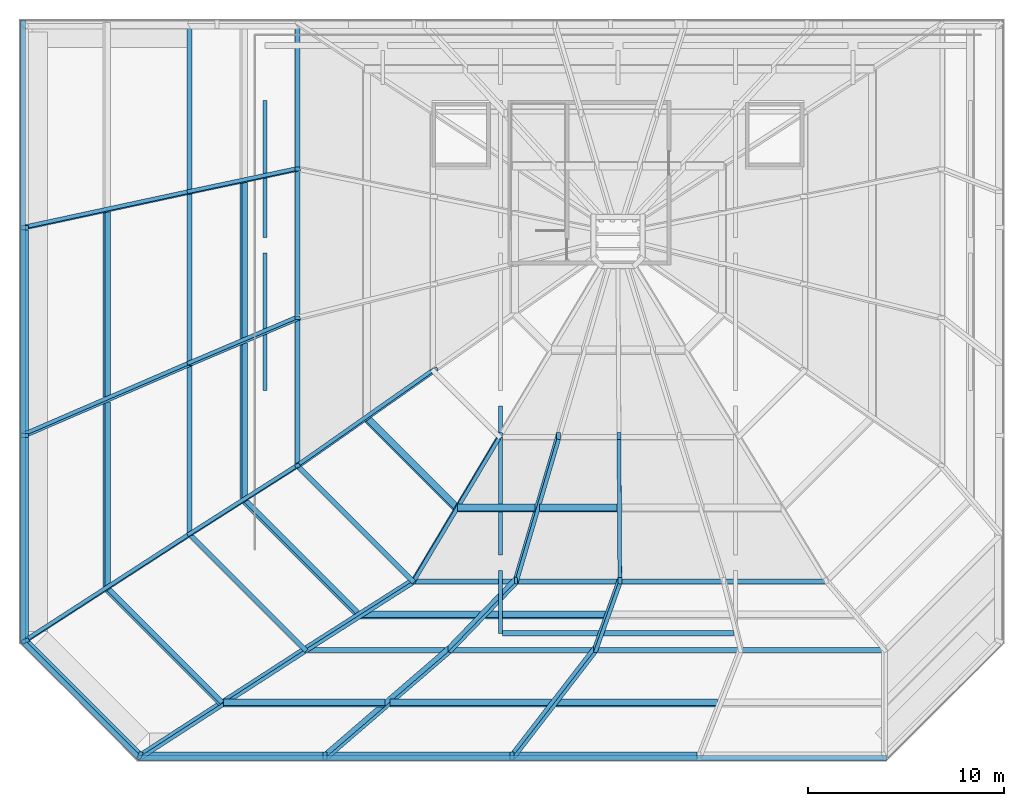
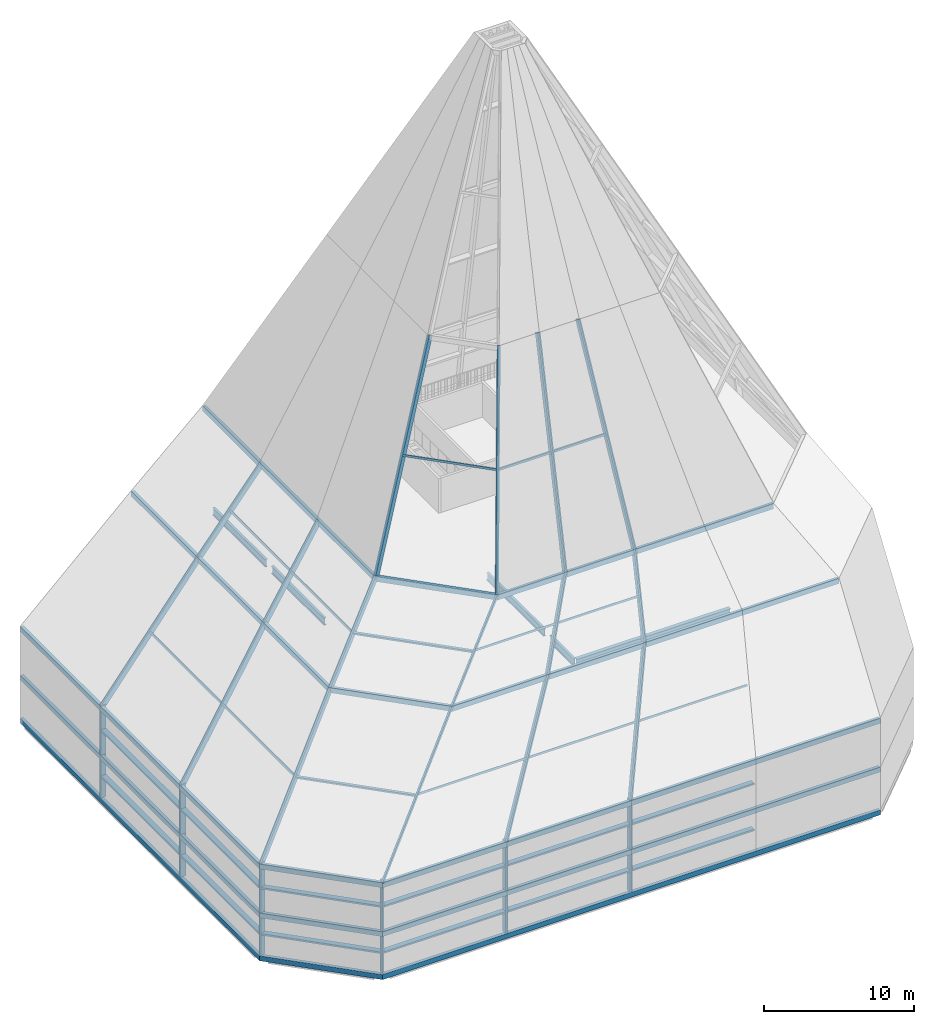
# One storey, part 1 of 7: 69 members, 5 beams.
"""IFC4 building model written with IfcOpenShell, lengths in metres."""

from ifc_helpers import new_model, si_unit, direction, frame, origin, origin_2d, place, context, subcontext, project, spatial, rectangle, i_section, extrude, material, material_profile, profile_set, type_object, element, save


model = new_model("IFC4")

# Units and contexts
model_context = context("Model", 3, precision=1e-05, world=origin(), true_north=direction((0.0, 1.0)))
body_context = subcontext(model_context, "Body", "Model", "MODEL_VIEW")
ifc_project = project(units=[si_unit("LENGTHUNIT", "METRE"), si_unit("AREAUNIT", "SQUARE_METRE"), si_unit("VOLUMEUNIT", "CUBIC_METRE"), si_unit("PLANEANGLEUNIT", "RADIAN"), si_unit("MASSUNIT", "GRAM", prefix="KILO")], contexts=[model_context])

# Site, building, storey
site_placement = place(None, origin())
site = spatial("IfcSite", under=ifc_project, at=site_placement, CompositionType="ELEMENT")
building_placement = place(site_placement, origin())
building = spatial("IfcBuilding", under=site, at=building_placement, Name="Sorahane Residences", CompositionType="ELEMENT")
storey_placement = place(building_placement, frame((0.0, 0.0, 357.800048828125)))
storey = spatial("IfcBuildingStorey", under=building, at=storey_placement, Name="RF", CompositionType="ELEMENT", Elevation=357.800048828125)

# Members
ifc_material_1 = material(Name="Steel Q355B", Category="steel")
ifc_material_profile_1 = material_profile(ifc_material_1, rectangle(XDim=0.199951171875, YDim=0.39990234375, at=origin_2d()), Name="CROWN FRAME hip rib Steel Q355B 200x400")
ifc_profile_set_1 = profile_set([ifc_material_profile_1], Name="Steel Q355B")
member_type_1 = type_object("IfcMemberType", Name="CROWN FRAME hip rib Steel Q355B 200x400", PredefinedType="RAFTER", material=ifc_profile_set_1)
for number, where, z_axis, x_axis, name in (
    (1, (-6.2470703125, 17.604736328125, -15.47998046875), (0.0, 0.0, 1.0), (-0.382683432365, 0.923879532511, 0.0), "CROWN FRAME hip rib 1.1"),
    (2, (-0.395263671875, 11.7529296875, -15.47998046875), (0.0, 0.0, 1.0), (-0.923879532511, 0.382683432365, 0.0), "CROWN FRAME hip rib 1.2"),
    (3, (9.050048828125, 11.72998046875, -15.47998046875), (0.0, 0.0, 1.0), (-1.0, 0.0, 0.0), "CROWN FRAME hip rib 1.3"),
    (4, (18.60009765625, 11.72998046875, -15.47998046875), (0.0, 0.0, 1.0), (-1.0, 0.0, 0.0), "CROWN FRAME hip rib 1.4"),
    (5, (-6.27001953125, 38.699951171875, -15.47998046875), (0.0, 0.0, 1.0), (0.0, 1.0, 0.0), "CROWN FRAME hip rib 1.16"),
    (6, (-6.27001953125, 28.10009765625, -15.47998046875), (0.0, 0.0, 1.0), (0.0, 1.0, 0.0), "CROWN FRAME hip rib 1.17"),
):
    element("IfcMember", number, at=place(storey_placement, frame(where, z_axis=z_axis, x_axis=x_axis)), inside=storey, type_object=member_type_1, Name=name, PredefinedType="RAFTER", context=body_context, shape_type="SweptSolid", body=[
        extrude(rectangle(XDim=0.199951171875, YDim=0.39990234375, at=origin_2d()), origin(), (0.0, 0.0, 1.0), 3.47998046875),
    ])
for number, where, z_axis, x_axis, name in (
    (7, (-6.2470703125, 17.604736328125, -12.0), (0.0, 0.0, 1.0), (-0.382683432365, 0.923879532511, 0.0), "CROWN FRAME hip rib 2.1"),
    (8, (-0.395263671875, 11.7529296875, -12.0), (0.0, 0.0, 1.0), (-0.923879532511, 0.382683432365, 0.0), "CROWN FRAME hip rib 2.2"),
    (9, (9.050048828125, 11.72998046875, -12.0), (0.0, 0.0, 1.0), (-1.0, 0.0, 0.0), "CROWN FRAME hip rib 2.3"),
    (10, (18.60009765625, 11.72998046875, -12.0), (0.0, 0.0, 1.0), (-1.0, 0.0, 0.0), "CROWN FRAME hip rib 2.4"),
    (11, (-6.27001953125, 38.699951171875, -12.0), (0.0, 0.0, 1.0), (0.0, 1.0, 0.0), "CROWN FRAME hip rib 2.16"),
    (12, (-6.27001953125, 28.10009765625, -12.0), (0.0, 0.0, 1.0), (0.0, 1.0, 0.0), "CROWN FRAME hip rib 2.17"),
):
    element("IfcMember", number, at=place(storey_placement, frame(where, z_axis=z_axis, x_axis=x_axis)), inside=storey, type_object=member_type_1, Name=name, PredefinedType="RAFTER", context=body_context, shape_type="SweptSolid", body=[
        extrude(rectangle(XDim=0.199951171875, YDim=0.39990234375, at=origin_2d()), origin(), (0.0, 0.0, 1.0), 4.0),
    ])
for number, where, z_axis, x_axis, name in (
    (13, (-6.349609375, 17.55908203125, -8.200439453125), (0.658736619548, 0.426241342061, 0.619987406634), (-0.474282489764, 0.874945900304, -0.097600161084), "CROWN FRAME hip rib 3.1"),
    (14, (-0.438232421875, 11.67626953125, -8.18701171875), (0.658736619548, 0.426241342061, 0.619987406634), (-0.715126162068, 0.61078444687, 0.339907239975), "CROWN FRAME hip rib 3.2"),
):
    element("IfcMember", number, at=place(storey_placement, frame(where, z_axis=z_axis, x_axis=x_axis)), inside=storey, type_object=member_type_1, Name=name, PredefinedType="RAFTER", context=body_context, shape_type="SweptSolid", body=[
        extrude(rectangle(XDim=0.199951171875, YDim=0.39990234375, at=origin_2d()), origin(), (0.0, 0.0, 1.0), 12.903564453125),
    ])
member_1_placement = place(storey_placement, frame((9.050048828125, 11.689453125, -8.13037109375), z_axis=(0.548895039082, 0.473556504306, 0.688809460809), x_axis=(-0.835891282447, 0.310965058804, 0.452312387772)))
element("IfcMember", 15, at=member_1_placement, inside=storey, type_object=member_type_1, Name="CROWN FRAME hip rib 3.3", PredefinedType="RAFTER", context=body_context, shape_type="SweptSolid", body=[
    extrude(rectangle(XDim=0.199951171875, YDim=0.39990234375, at=origin_2d()), origin(), (0.0, 0.0, 1.0), 11.6142578125),
])
member_2_placement = place(storey_placement, frame((18.60009765625, 11.689453125, -8.13037109375), z_axis=(0.401028172178, 0.518977634583, 0.754876559394), x_axis=(-0.916065720961, 0.227193990435, 0.330464045836)))
element("IfcMember", 16, at=member_2_placement, inside=storey, type_object=member_type_1, Name="CROWN FRAME hip rib 3.4", PredefinedType="RAFTER", context=body_context, shape_type="SweptSolid", body=[
    extrude(rectangle(XDim=0.199951171875, YDim=0.39990234375, at=origin_2d()), origin(), (0.0, 0.0, 1.0), 10.59765625),
])
member_3_placement = place(storey_placement, frame((-6.34228515625, 38.699951171875, -8.16748046875), z_axis=(0.719381720301, 0.155153875739, 0.677065148519), x_axis=(-0.112978503472, 0.987890315167, -0.10634182128)))
element("IfcMember", 17, at=member_3_placement, inside=storey, type_object=member_type_1, Name="CROWN FRAME hip rib 3.16", PredefinedType="RAFTER", context=body_context, shape_type="SweptSolid", body=[
    extrude(rectangle(XDim=0.199951171875, YDim=0.39990234375, at=origin_2d()), origin(), (0.0, 0.0, 1.0), 11.815673828125),
])
member_4_placement = place(storey_placement, frame((-6.34228515625, 28.10009765625, -8.16748046875), z_axis=(0.694732819568, 0.299675364323, 0.653866183123), x_axis=(-0.218216034843, 0.954041233861, -0.205394951813)))
element("IfcMember", 18, at=member_4_placement, inside=storey, type_object=member_type_1, Name="CROWN FRAME hip rib 3.17", PredefinedType="RAFTER", context=body_context, shape_type="SweptSolid", body=[
    extrude(rectangle(XDim=0.199951171875, YDim=0.39990234375, at=origin_2d()), origin(), (0.0, 0.0, 1.0), 12.23486328125),
])
for number, where, z_axis, x_axis, name in (
    (19, (2.147216796875, 23.057861328125, -0.202392578125), (0.669438681395, 0.426006433615, 0.60858061945), (-0.472964169951, 0.876154679053, -0.093047688391), "CROWN FRAME hip rib 4.1"),
    (20, (8.060546875, 17.17431640625, -0.18896484375), (0.669438681395, 0.426006433615, 0.60858061945), (-0.706469685547, 0.618377676428, 0.344252280602), "CROWN FRAME hip rib 4.2"),
):
    element("IfcMember", number, at=place(storey_placement, frame(where, z_axis=z_axis, x_axis=x_axis)), inside=storey, type_object=member_type_1, Name=name, PredefinedType="RAFTER", context=body_context, shape_type="SweptSolid", body=[
        extrude(rectangle(XDim=0.199951171875, YDim=0.39990234375, at=origin_2d()), origin(), (0.0, 0.0, 1.0), 8.2158203125),
    ])
member_5_placement = place(storey_placement, frame((15.425048828125, 17.1884765625, -0.1318359375), z_axis=(0.483920704572, 0.50184369363, 0.716919562329), x_axis=(-0.875111850958, 0.277510274421, 0.396443307301)))
element("IfcMember", 21, at=member_5_placement, inside=storey, type_object=member_type_1, Name="CROWN FRAME hip rib 4.3", PredefinedType="RAFTER", context=body_context, shape_type="SweptSolid", body=[
    extrude(rectangle(XDim=0.199951171875, YDim=0.39990234375, at=origin_2d()), origin(), (0.0, 0.0, 1.0), 6.974365234375),
])
member_6_placement = place(storey_placement, frame((22.85009765625, 17.1884765625, -0.1318359375), z_axis=(0.200643088476, 0.561800647734, 0.802572353905), x_axis=(-0.979664407359, 0.115061955773, 0.164372732799)))
element("IfcMember", 22, at=member_6_placement, inside=storey, type_object=member_type_1, Name="CROWN FRAME hip rib 4.4", PredefinedType="RAFTER", context=body_context, shape_type="SweptSolid", body=[
    extrude(rectangle(XDim=0.199951171875, YDim=0.39990234375, at=origin_2d()), origin(), (0.0, 0.0, 1.0), 6.22998046875),
])
member_7_placement = place(storey_placement, frame((2.15478515625, 40.533203125, -0.170166015625), z_axis=(0.730989471214, 0.155069188696, 0.664535882922), x_axis=(-0.11474805222, 0.987903612017, -0.104304064523)))
element("IfcMember", 23, at=member_7_placement, inside=storey, type_object=member_type_1, Name="CROWN FRAME hip rib 4.16", PredefinedType="RAFTER", context=body_context, shape_type="SweptSolid", body=[
    extrude(rectangle(XDim=0.199951171875, YDim=0.39990234375, at=origin_2d()), origin(), (0.0, 0.0, 1.0), 7.524169921875),
])
member_8_placement = place(storey_placement, frame((2.15478515625, 31.7666015625, -0.170166015625), z_axis=(0.705968789743, 0.299522802396, 0.641789808858), x_axis=(-0.221639269003, 0.954089141868, -0.201469461225)))
element("IfcMember", 24, at=member_8_placement, inside=storey, type_object=member_type_1, Name="CROWN FRAME hip rib 4.17", PredefinedType="RAFTER", context=body_context, shape_type="SweptSolid", body=[
    extrude(rectangle(XDim=0.199951171875, YDim=0.39990234375, at=origin_2d()), origin(), (0.0, 0.0, 1.0), 7.790771484375),
])
member_9_placement = place(storey_placement, frame((7.71484375, 26.5869140625, 4.865478515625), z_axis=(0.41857801809, 0.293836420309, 0.859332648554), x_axis=(-0.426004257315, 0.899182364873, -0.099957228111)))
element("IfcMember", 25, at=member_9_placement, inside=storey, type_object=member_type_1, Name="CROWN FRAME hip rib 5.1", PredefinedType="RAFTER", context=body_context, shape_type="SweptSolid", body=[
    extrude(rectangle(XDim=0.199951171875, YDim=0.39990234375, at=origin_2d()), origin(), (0.0, 0.0, 1.0), 16.5244140625),
])
member_10_placement = place(storey_placement, frame((13.586669921875, 20.712646484375, 4.862548828125), z_axis=(0.264984868447, 0.444417185119, 0.85573149122), x_axis=(-0.908258566685, 0.41305311135, 0.066734573104)))
element("IfcMember", 26, at=member_10_placement, inside=storey, type_object=member_type_1, Name="CROWN FRAME hip rib 5.2", PredefinedType="RAFTER", context=body_context, shape_type="SweptSolid", body=[
    extrude(rectangle(XDim=0.199951171875, YDim=0.39990234375, at=origin_2d()), origin(), (0.0, 0.0, 1.0), 16.59423828125),
])
member_11_placement = place(storey_placement, frame((18.800048828125, 20.7041015625, 4.89404296875), z_axis=(0.134739529258, 0.456696247788, 0.879359878839), x_axis=(-0.990881052021, 0.062100892051, 0.119575164442)))
element("IfcMember", 27, at=member_11_placement, inside=storey, type_object=member_type_1, Name="CROWN FRAME hip rib 5.3", PredefinedType="RAFTER", context=body_context, shape_type="SweptSolid", body=[
    extrude(rectangle(XDim=0.199951171875, YDim=0.39990234375, at=origin_2d()), origin(), (0.0, 0.0, 1.0), 16.14794921875),
])
member_12_placement = place(storey_placement, frame((24.10009765625, 20.7041015625, 4.89404296875), z_axis=(-0.002868496912, 0.460897267075, 0.887448861022), x_axis=(-0.999995885789, -0.001332231344, -0.002540386746)))
element("IfcMember", 28, at=member_12_placement, inside=storey, type_object=member_type_1, Name="CROWN FRAME hip rib 5.4", PredefinedType="RAFTER", context=body_context, shape_type="SweptSolid", body=[
    extrude(rectangle(XDim=0.199951171875, YDim=0.39990234375, at=origin_2d()), origin(), (0.0, 0.0, 1.0), 16.0009765625),
])
ifc_material_2 = material(Name="Steel Q355B", Category="steel")
ifc_material_profile_2 = material_profile(ifc_material_2, rectangle(XDim=0.139892578125, YDim=0.39990234375, at=origin_2d()), Name="CROWN FRAME purlin Steel Q355B 140x400")
ifc_profile_set_2 = profile_set([ifc_material_profile_2], Name="Steel Q355B")
member_type_2 = type_object("IfcMemberType", Name="CROWN FRAME purlin Steel Q355B 140x400", PredefinedType="PURLIN", material=ifc_profile_set_2)
member_13_placement = place(storey_placement, frame((-6.25244140625, 17.577880859375, -13.739990234375), z_axis=(0.707106781187, -0.707106781187, 0.0), x_axis=(0.0, 0.0, 1.0)))
element("IfcMember", 29, at=member_13_placement, inside=storey, type_object=member_type_2, Name="CROWN FRAME purlin 1.1", PredefinedType="PURLIN", context=body_context, shape_type="SweptSolid", body=[
    extrude(rectangle(XDim=0.139892578125, YDim=0.39990234375, at=origin_2d()), origin(), (0.0, 0.0, 1.0), 8.245361328125),
])
member_14_placement = place(storey_placement, frame((-0.3798828125, 11.72998046875, -13.739990234375), z_axis=(1.0, 0.0, 0.0), x_axis=(0.0, 0.0, 1.0)))
element("IfcMember", 30, at=member_14_placement, inside=storey, type_object=member_type_2, Name="CROWN FRAME purlin 1.2", PredefinedType="PURLIN", context=body_context, shape_type="SweptSolid", body=[
    extrude(rectangle(XDim=0.139892578125, YDim=0.39990234375, at=origin_2d()), origin(), (0.0, 0.0, 1.0), 9.324951171875),
])
member_15_placement = place(storey_placement, frame((9.155029296875, 11.72998046875, -13.739990234375), z_axis=(1.0, 0.0, 0.0), x_axis=(0.0, 0.0, 1.0)))
element("IfcMember", 31, at=member_15_placement, inside=storey, type_object=member_type_2, Name="CROWN FRAME purlin 1.3", PredefinedType="PURLIN", context=body_context, shape_type="SweptSolid", body=[
    extrude(rectangle(XDim=0.139892578125, YDim=0.39990234375, at=origin_2d()), origin(), (0.0, 0.0, 1.0), 9.340087890625),
])
member_16_placement = place(storey_placement, frame((18.705078125, 11.72998046875, -13.739990234375), z_axis=(1.0, 0.0, 0.0), x_axis=(0.0, 0.0, 1.0)))
element("IfcMember", 32, at=member_16_placement, inside=storey, type_object=member_type_2, Name="CROWN FRAME purlin 1.4", PredefinedType="PURLIN", context=body_context, shape_type="SweptSolid", body=[
    extrude(rectangle(XDim=0.139892578125, YDim=0.39990234375, at=origin_2d()), origin(), (0.0, 0.0, 1.0), 9.33984375),
])
member_17_placement = place(storey_placement, frame((-6.27001953125, 28.205078125, -13.739990234375), z_axis=(0.0, 1.0, 0.0), x_axis=(0.0, 0.0, -1.0)))
element("IfcMember", 33, at=member_17_placement, inside=storey, type_object=member_type_2, Name="CROWN FRAME purlin 1.16", PredefinedType="PURLIN", context=body_context, shape_type="SweptSolid", body=[
    extrude(rectangle(XDim=0.139892578125, YDim=0.39990234375, at=origin_2d()), origin(), (0.0, 0.0, 1.0), 10.389892578125),
])
member_18_placement = place(storey_placement, frame((-6.27001953125, 17.6201171875, -13.739990234375), z_axis=(0.0, 1.0, 0.0), x_axis=(0.0, 0.0, -1.0)))
element("IfcMember", 34, at=member_18_placement, inside=storey, type_object=member_type_2, Name="CROWN FRAME purlin 1.17", PredefinedType="PURLIN", context=body_context, shape_type="SweptSolid", body=[
    extrude(rectangle(XDim=0.139892578125, YDim=0.39990234375, at=origin_2d()), origin(), (0.0, 0.0, 1.0), 10.375),
])
member_19_placement = place(storey_placement, frame((-6.25244140625, 17.577880859375, -10.0), z_axis=(0.707106781187, -0.707106781187, 0.0), x_axis=(0.0, 0.0, 1.0)))
element("IfcMember", 35, at=member_19_placement, inside=storey, type_object=member_type_2, Name="CROWN FRAME purlin 2.1", PredefinedType="PURLIN", context=body_context, shape_type="SweptSolid", body=[
    extrude(rectangle(XDim=0.139892578125, YDim=0.39990234375, at=origin_2d()), origin(), (0.0, 0.0, 1.0), 8.245361328125),
])
member_20_placement = place(storey_placement, frame((-0.3798828125, 11.72998046875, -10.0), z_axis=(1.0, 0.0, 0.0), x_axis=(0.0, 0.0, 1.0)))
element("IfcMember", 36, at=member_20_placement, inside=storey, type_object=member_type_2, Name="CROWN FRAME purlin 2.2", PredefinedType="PURLIN", context=body_context, shape_type="SweptSolid", body=[
    extrude(rectangle(XDim=0.139892578125, YDim=0.39990234375, at=origin_2d()), origin(), (0.0, 0.0, 1.0), 9.324951171875),
])
member_21_placement = place(storey_placement, frame((9.155029296875, 11.72998046875, -10.0), z_axis=(1.0, 0.0, 0.0), x_axis=(0.0, 0.0, 1.0)))
element("IfcMember", 37, at=member_21_placement, inside=storey, type_object=member_type_2, Name="CROWN FRAME purlin 2.3", PredefinedType="PURLIN", context=body_context, shape_type="SweptSolid", body=[
    extrude(rectangle(XDim=0.139892578125, YDim=0.39990234375, at=origin_2d()), origin(), (0.0, 0.0, 1.0), 9.340087890625),
])
member_22_placement = place(storey_placement, frame((18.705078125, 11.72998046875, -10.0), z_axis=(1.0, 0.0, 0.0), x_axis=(0.0, 0.0, 1.0)))
element("IfcMember", 38, at=member_22_placement, inside=storey, type_object=member_type_2, Name="CROWN FRAME purlin 2.4", PredefinedType="PURLIN", context=body_context, shape_type="SweptSolid", body=[
    extrude(rectangle(XDim=0.139892578125, YDim=0.39990234375, at=origin_2d()), origin(), (0.0, 0.0, 1.0), 9.33984375),
])
member_23_placement = place(storey_placement, frame((-6.27001953125, 28.205078125, -10.0), z_axis=(0.0, 1.0, 0.0), x_axis=(0.0, 0.0, -1.0)))
element("IfcMember", 39, at=member_23_placement, inside=storey, type_object=member_type_2, Name="CROWN FRAME purlin 2.16", PredefinedType="PURLIN", context=body_context, shape_type="SweptSolid", body=[
    extrude(rectangle(XDim=0.139892578125, YDim=0.39990234375, at=origin_2d()), origin(), (0.0, 0.0, 1.0), 10.389892578125),
])
member_24_placement = place(storey_placement, frame((-6.27001953125, 17.6201171875, -10.0), z_axis=(0.0, 1.0, 0.0), x_axis=(0.0, 0.0, -1.0)))
element("IfcMember", 40, at=member_24_placement, inside=storey, type_object=member_type_2, Name="CROWN FRAME purlin 2.17", PredefinedType="PURLIN", context=body_context, shape_type="SweptSolid", body=[
    extrude(rectangle(XDim=0.139892578125, YDim=0.39990234375, at=origin_2d()), origin(), (0.0, 0.0, 1.0), 10.375),
])
member_25_placement = place(storey_placement, frame((-2.06298828125, 20.267333984375, -4.178955078125), z_axis=(0.707106781187, -0.707106781187, 0.0), x_axis=(0.549972261047, 0.549972261047, 0.628538800837)))
element("IfcMember", 41, at=member_25_placement, inside=storey, type_object=member_type_2, Name="CROWN FRAME purlin 3.1", PredefinedType="PURLIN", context=body_context, shape_type="SweptSolid", body=[
    extrude(rectangle(XDim=0.139892578125, YDim=0.39990234375, at=origin_2d()), origin(), (0.0, 0.0, 1.0), 8.245361328125),
])
member_26_placement = place(storey_placement, frame((3.8701171875, 14.439453125, -4.13037109375), z_axis=(1.0, 0.0, 0.0), x_axis=(0.0, 0.566528492273, 0.824042151497)))
element("IfcMember", 42, at=member_26_placement, inside=storey, type_object=member_type_2, Name="CROWN FRAME purlin 3.2", PredefinedType="PURLIN", context=body_context, shape_type="SweptSolid", body=[
    extrude(rectangle(XDim=0.139892578125, YDim=0.39990234375, at=origin_2d()), origin(), (0.0, 0.0, 1.0), 8.247314453125),
])
for number, where, z_axis, x_axis, name in (
    (43, (12.357421875, 14.439453125, -4.13037109375), (1.0, 0.0, 0.0), (0.0, 0.566528492273, 0.824042151497), "CROWN FRAME purlin 3.3"),
    (44, (20.844970703125, 14.439453125, -4.13037109375), (1.0, 0.0, 0.0), (0.0, 0.566528492273, 0.824042151497), "CROWN FRAME purlin 3.4"),
):
    element("IfcMember", number, at=place(storey_placement, frame(where, z_axis=z_axis, x_axis=x_axis)), inside=storey, type_object=member_type_2, Name=name, PredefinedType="PURLIN", context=body_context, shape_type="SweptSolid", body=[
        extrude(rectangle(XDim=0.139892578125, YDim=0.39990234375, at=origin_2d()), origin(), (0.0, 0.0, 1.0), 8.24755859375),
    ])
member_27_placement = place(storey_placement, frame((-2.09228515625, 30.05322265625, -4.16748046875), z_axis=(0.0, 1.0, 0.0), x_axis=(-0.728199937801, 0.0, -0.685364757328)))
element("IfcMember", 45, at=member_27_placement, inside=storey, type_object=member_type_2, Name="CROWN FRAME purlin 3.16", PredefinedType="PURLIN", context=body_context, shape_type="SweptSolid", body=[
    extrude(rectangle(XDim=0.139892578125, YDim=0.39990234375, at=origin_2d()), origin(), (0.0, 0.0, 1.0), 9.443359375),
])
member_28_placement = place(storey_placement, frame((-2.09228515625, 20.3701171875, -4.16748046875), z_axis=(0.0, 1.0, 0.0), x_axis=(-0.728199937801, 0.0, -0.685364757328)))
element("IfcMember", 46, at=member_28_placement, inside=storey, type_object=member_type_2, Name="CROWN FRAME purlin 3.17", PredefinedType="PURLIN", context=body_context, shape_type="SweptSolid", body=[
    extrude(rectangle(XDim=0.139892578125, YDim=0.39990234375, at=origin_2d()), origin(), (0.0, 0.0, 1.0), 9.443115234375),
])
member_29_placement = place(storey_placement, frame((4.935302734375, 24.765625, 2.319091796875), z_axis=(0.707106781187, -0.707106781187, 0.0), x_axis=(0.556021906748, 0.556021906748, 0.617801973478)))
element("IfcMember", 47, at=member_29_placement, inside=storey, type_object=member_type_2, Name="CROWN FRAME purlin 4.1", PredefinedType="PURLIN", context=body_context, shape_type="SweptSolid", body=[
    extrude(rectangle(XDim=0.139892578125, YDim=0.39990234375, at=origin_2d()), origin(), (0.0, 0.0, 1.0), 8.245361328125),
])
member_30_placement = place(storey_placement, frame((10.8701171875, 18.9384765625, 2.3681640625), z_axis=(1.0, 0.0, 0.0), x_axis=(0.0, 0.573462055558, 0.819232122682)))
element("IfcMember", 48, at=member_30_placement, inside=storey, type_object=member_type_2, Name="CROWN FRAME purlin 4.2", PredefinedType="PURLIN", context=body_context, shape_type="SweptSolid", body=[
    extrude(rectangle(XDim=0.139892578125, YDim=0.39990234375, at=origin_2d()), origin(), (0.0, 0.0, 1.0), 6.122314453125),
])
member_31_placement = place(storey_placement, frame((17.232421875, 18.9384765625, 2.3681640625), z_axis=(1.0, 0.0, 0.0), x_axis=(0.0, 0.573462055558, 0.819232122682)))
element("IfcMember", 49, at=member_31_placement, inside=storey, type_object=member_type_2, Name="CROWN FRAME purlin 4.3", PredefinedType="PURLIN", context=body_context, shape_type="SweptSolid", body=[
    extrude(rectangle(XDim=0.139892578125, YDim=0.39990234375, at=origin_2d()), origin(), (0.0, 0.0, 1.0), 6.12255859375),
])
member_32_placement = place(storey_placement, frame((4.90478515625, 33.05322265625, 2.329833984375), z_axis=(0.0, 1.0, 0.0), x_axis=(-0.739939944324, 0.0, -0.672672935976)))
element("IfcMember", 50, at=member_32_placement, inside=storey, type_object=member_type_2, Name="CROWN FRAME purlin 4.16", PredefinedType="PURLIN", context=body_context, shape_type="SweptSolid", body=[
    extrude(rectangle(XDim=0.139892578125, YDim=0.39990234375, at=origin_2d()), origin(), (0.0, 0.0, 1.0), 7.943359375),
])
member_33_placement = place(storey_placement, frame((4.90478515625, 24.8701171875, 2.329833984375), z_axis=(0.0, 1.0, 0.0), x_axis=(-0.739939944324, 0.0, -0.672672935976)))
element("IfcMember", 51, at=member_33_placement, inside=storey, type_object=member_type_2, Name="CROWN FRAME purlin 4.17", PredefinedType="PURLIN", context=body_context, shape_type="SweptSolid", body=[
    extrude(rectangle(XDim=0.139892578125, YDim=0.39990234375, at=origin_2d()), origin(), (0.0, 0.0, 1.0), 7.943115234375),
])
member_34_placement = place(storey_placement, frame((11.18359375, 28.983154296875, 11.983642578125), z_axis=(0.707106781187, -0.707106781187, 0.0), x_axis=(0.357599540054, 0.357599540054, 0.862696434388)))
element("IfcMember", 52, at=member_34_placement, inside=storey, type_object=member_type_2, Name="CROWN FRAME purlin 5.1", PredefinedType="PURLIN", context=body_context, shape_type="SweptSolid", body=[
    extrude(rectangle(XDim=0.139892578125, YDim=0.39990234375, at=origin_2d()), origin(), (0.0, 0.0, 1.0), 6.463623046875),
])
for number, where, z_axis, x_axis, name in (
    (53, (15.818603515625, 24.3916015625, 11.993896484375), (1.0, 0.0, 0.0), (0.0, 0.460900029143, 0.887452062444), "CROWN FRAME purlin 5.2"),
    (54, (20.0078125, 24.3916015625, 11.993896484375), (1.0, 0.0, 0.0), (0.0, 0.460900029143, 0.887452062444), "CROWN FRAME purlin 5.3"),
):
    element("IfcMember", number, at=place(storey_placement, frame(where, z_axis=z_axis, x_axis=x_axis)), inside=storey, type_object=member_type_2, Name=name, PredefinedType="PURLIN", context=body_context, shape_type="SweptSolid", body=[
        extrude(rectangle(XDim=0.139892578125, YDim=0.39990234375, at=origin_2d()), origin(), (0.0, 0.0, 1.0), 3.94921875),
    ])
ifc_material_3 = material(Name="Steel Q355B", Category="steel")
ifc_material_profile_3 = material_profile(ifc_material_3, rectangle(XDim=0.25, YDim=0.39990234375, at=origin_2d()), Name="CROWN FRAME ring beam Steel Q355B 250x400")
ifc_profile_set_3 = profile_set([ifc_material_profile_3], Name="Steel Q355B")
member_type_3 = type_object("IfcMemberType", Name="CROWN FRAME ring beam Steel Q355B 250x400", PredefinedType="BRACE", material=ifc_profile_set_3)
member_35_placement = place(storey_placement, frame((-6.3974609375, 17.6025390625, -15.679931640625), z_axis=(0.707106781187, -0.707106781187, 0.0), x_axis=(0.707106781187, 0.707106781187, 0.0)))
element("IfcMember", 55, at=member_35_placement, inside=storey, type_object=member_type_3, Name="CROWN FRAME ring beam 1.1", PredefinedType="BRACE", context=body_context, shape_type="SweptSolid", body=[
    extrude(rectangle(XDim=0.25, YDim=0.39990234375, at=origin_2d()), origin(), (0.0, 0.0, 1.0), 8.4853515625),
])
member_36_placement = place(storey_placement, frame((-0.5, 11.64501953125, -15.679931640625), z_axis=(1.0, 0.0, 0.0), x_axis=(0.0, 1.0, 0.0)))
element("IfcMember", 56, at=member_36_placement, inside=storey, type_object=member_type_3, Name="CROWN FRAME ring beam 1.2", PredefinedType="BRACE", context=body_context, shape_type="SweptSolid", body=[
    extrude(rectangle(XDim=0.25, YDim=0.39990234375, at=origin_2d()), origin(), (0.0, 0.0, 1.0), 38.199951171875),
])
member_37_placement = place(storey_placement, frame((-6.35498046875, 17.5, -15.679931640625), z_axis=(0.0, 1.0, 0.0), x_axis=(-1.0, 0.0, 0.0)))
element("IfcMember", 57, at=member_37_placement, inside=storey, type_object=member_type_3, Name="CROWN FRAME ring beam 1.6", PredefinedType="BRACE", context=body_context, shape_type="SweptSolid", body=[
    extrude(rectangle(XDim=0.25, YDim=0.39990234375, at=origin_2d()), origin(), (0.0, 0.0, 1.0), 31.800048828125),
])
member_38_placement = place(storey_placement, frame((-6.3974609375, 17.6025390625, -12.199951171875), z_axis=(0.707106781187, -0.707106781187, 0.0), x_axis=(0.707106781187, 0.707106781187, 0.0)))
element("IfcMember", 58, at=member_38_placement, inside=storey, type_object=member_type_3, Name="CROWN FRAME ring beam 2.1", PredefinedType="BRACE", context=body_context, shape_type="SweptSolid", body=[
    extrude(rectangle(XDim=0.25, YDim=0.39990234375, at=origin_2d()), origin(), (0.0, 0.0, 1.0), 8.4853515625),
])
member_39_placement = place(storey_placement, frame((-0.5, 11.64501953125, -12.199951171875), z_axis=(1.0, 0.0, 0.0), x_axis=(0.0, 1.0, 0.0)))
element("IfcMember", 59, at=member_39_placement, inside=storey, type_object=member_type_3, Name="CROWN FRAME ring beam 2.2", PredefinedType="BRACE", context=body_context, shape_type="SweptSolid", body=[
    extrude(rectangle(XDim=0.25, YDim=0.39990234375, at=origin_2d()), origin(), (0.0, 0.0, 1.0), 38.199951171875),
])
member_40_placement = place(storey_placement, frame((-6.35498046875, 17.5, -12.199951171875), z_axis=(0.0, 1.0, 0.0), x_axis=(-1.0, 0.0, 0.0)))
element("IfcMember", 60, at=member_40_placement, inside=storey, type_object=member_type_3, Name="CROWN FRAME ring beam 2.6", PredefinedType="BRACE", context=body_context, shape_type="SweptSolid", body=[
    extrude(rectangle(XDim=0.25, YDim=0.39990234375, at=origin_2d()), origin(), (0.0, 0.0, 1.0), 31.800048828125),
])
member_41_placement = place(storey_placement, frame((-6.3974609375, 17.6025390625, -8.23876953125), z_axis=(0.707106781187, -0.707106781187, 0.0), x_axis=(0.707106781187, 0.707106781187, 0.0)))
element("IfcMember", 61, at=member_41_placement, inside=storey, type_object=member_type_3, Name="CROWN FRAME ring beam 3.1", PredefinedType="BRACE", context=body_context, shape_type="SweptSolid", body=[
    extrude(rectangle(XDim=0.25, YDim=0.39990234375, at=origin_2d()), origin(), (0.0, 0.0, 1.0), 8.4853515625),
])
member_42_placement = place(storey_placement, frame((-0.5, 11.64501953125, -8.2529296875), z_axis=(1.0, 0.0, 0.0), x_axis=(0.0, 1.0, 0.0)))
element("IfcMember", 62, at=member_42_placement, inside=storey, type_object=member_type_3, Name="CROWN FRAME ring beam 3.2", PredefinedType="BRACE", context=body_context, shape_type="SweptSolid", body=[
    extrude(rectangle(XDim=0.25, YDim=0.39990234375, at=origin_2d()), origin(), (0.0, 0.0, 1.0), 38.199951171875),
])
member_43_placement = place(storey_placement, frame((-6.35498046875, 17.5, -8.2412109375), z_axis=(0.0, 1.0, 0.0), x_axis=(-1.0, 0.0, 0.0)))
element("IfcMember", 63, at=member_43_placement, inside=storey, type_object=member_type_3, Name="CROWN FRAME ring beam 3.6", PredefinedType="BRACE", context=body_context, shape_type="SweptSolid", body=[
    extrude(rectangle(XDim=0.25, YDim=0.39990234375, at=origin_2d()), origin(), (0.0, 0.0, 1.0), 31.800048828125),
])
member_44_placement = place(storey_placement, frame((2.1025390625, 23.1025390625, -0.23828125), z_axis=(0.707106781187, -0.707106781187, 0.0), x_axis=(0.707106781187, 0.707106781187, 0.0)))
element("IfcMember", 64, at=member_44_placement, inside=storey, type_object=member_type_3, Name="CROWN FRAME ring beam 4.1", PredefinedType="BRACE", context=body_context, shape_type="SweptSolid", body=[
    extrude(rectangle(XDim=0.25, YDim=0.39990234375, at=origin_2d()), origin(), (0.0, 0.0, 1.0), 8.4853515625),
])
member_45_placement = place(storey_placement, frame((8.0, 17.14501953125, -0.25244140625), z_axis=(1.0, 0.0, 0.0), x_axis=(0.0, 1.0, 0.0)))
element("IfcMember", 65, at=member_45_placement, inside=storey, type_object=member_type_3, Name="CROWN FRAME ring beam 4.2", PredefinedType="BRACE", context=body_context, shape_type="SweptSolid", body=[
    extrude(rectangle(XDim=0.25, YDim=0.39990234375, at=origin_2d()), origin(), (0.0, 0.0, 1.0), 29.699951171875),
])
member_46_placement = place(storey_placement, frame((2.14501953125, 23.0, -0.240478515625), z_axis=(0.0, 1.0, 0.0), x_axis=(-1.0, 0.0, 0.0)))
element("IfcMember", 66, at=member_46_placement, inside=storey, type_object=member_type_3, Name="CROWN FRAME ring beam 4.6", PredefinedType="BRACE", context=body_context, shape_type="SweptSolid", body=[
    extrude(rectangle(XDim=0.25, YDim=0.39990234375, at=origin_2d()), origin(), (0.0, 0.0, 1.0), 26.300048828125),
])
member_47_placement = place(storey_placement, frame((7.6025390625, 26.6025390625, 4.74072265625), z_axis=(0.707106781187, -0.707106781187, 0.0), x_axis=(0.707106781187, 0.707106781187, 0.0)))
element("IfcMember", 67, at=member_47_placement, inside=storey, type_object=member_type_3, Name="CROWN FRAME ring beam 5.1", PredefinedType="BRACE", context=body_context, shape_type="SweptSolid", body=[
    extrude(rectangle(XDim=0.25, YDim=0.39990234375, at=origin_2d()), origin(), (0.0, 0.0, 1.0), 8.4853515625),
])
member_48_placement = place(storey_placement, frame((13.5, 20.64501953125, 4.73486328125), z_axis=(1.0, 0.0, 0.0), x_axis=(0.0, 1.0, 0.0)))
element("IfcMember", 68, at=member_48_placement, inside=storey, type_object=member_type_3, Name="CROWN FRAME ring beam 5.2", PredefinedType="BRACE", context=body_context, shape_type="SweptSolid", body=[
    extrude(rectangle(XDim=0.25, YDim=0.39990234375, at=origin_2d()), origin(), (0.0, 0.0, 1.0), 21.199951171875),
])
member_49_placement = place(storey_placement, frame((7.64501953125, 26.5, 4.7314453125), z_axis=(0.0, 1.0, 0.0), x_axis=(-1.0, 0.0, 0.0)))
element("IfcMember", 69, at=member_49_placement, inside=storey, type_object=member_type_3, Name="CROWN FRAME ring beam 5.6", PredefinedType="BRACE", context=body_context, shape_type="SweptSolid", body=[
    extrude(rectangle(XDim=0.25, YDim=0.39990234375, at=origin_2d()), origin(), (0.0, 0.0, 1.0), 22.800048828125),
])

# Beams
ifc_material_4 = material(Name="Steel Q355B", Category="steel")
ifc_material_profile_4 = material_profile(ifc_material_4, i_section(OverallWidth=0.199951171875, OverallDepth=0.60009765625, WebThickness=0.010986328125, FlangeThickness=0.01708984375, FilletRadius=0.02392578125, at=origin_2d()), Name="HN 600x200x11x17")
ifc_profile_set_4 = profile_set([ifc_material_profile_4], Name="Steel Q355B")
beam_type_1 = type_object("IfcBeamType", Name="Steel floor beam HN 600x200x11x17 Q355B", PredefinedType="BEAM", material=ifc_profile_set_4)
for number, where, z_axis, x_axis, name in (
    (70, (6.0, 30.39990234375, -0.550048828125), (0.0, 1.0, 0.0), (-1.0, 0.0, 0.0), "Beam RF 004"),
    (71, (6.0, 38.199951171875, -0.550048828125), (0.0, 1.0, 0.0), (-1.0, 0.0, 0.0), "Beam RF 005"),
):
    element("IfcBeam", number, at=place(storey_placement, frame(where, z_axis=z_axis, x_axis=x_axis)), inside=storey, type_object=beam_type_1, Name=name, PredefinedType="BEAM", context=body_context, shape_type="SweptSolid", body=[
        extrude(i_section(OverallWidth=0.199951171875, OverallDepth=0.60009765625, WebThickness=0.010986328125, FlangeThickness=0.01708984375, FilletRadius=0.02392578125, at=origin_2d()), origin(), (0.0, 0.0, 1.0), 7.0),
    ])
beam_1_placement = place(storey_placement, frame((18.0, 22.0, -0.550048828125), z_axis=(0.0, 1.0, 0.0), x_axis=(-1.0, 0.0, 0.0)))
element("IfcBeam", 72, at=beam_1_placement, inside=storey, type_object=beam_type_1, Name="Beam RF 007", PredefinedType="BEAM", context=body_context, shape_type="SweptSolid", body=[
    extrude(i_section(OverallWidth=0.199951171875, OverallDepth=0.60009765625, WebThickness=0.010986328125, FlangeThickness=0.01708984375, FilletRadius=0.02392578125, at=origin_2d()), origin(), (0.0, 0.0, 1.0), 7.60009765625),
])
beam_2_placement = place(storey_placement, frame((18.0, 18.0, -0.550048828125), z_axis=(0.0, 1.0, 0.0), x_axis=(-1.0, 0.0, 0.0)))
element("IfcBeam", 73, at=beam_2_placement, inside=storey, type_object=beam_type_1, Name="Beam RF 011", PredefinedType="BEAM", context=body_context, shape_type="SweptSolid", body=[
    extrude(i_section(OverallWidth=0.199951171875, OverallDepth=0.60009765625, WebThickness=0.010986328125, FlangeThickness=0.01708984375, FilletRadius=0.02392578125, at=origin_2d()), origin(), (0.0, 0.0, 1.0), 3.199951171875),
])
ifc_material_5 = material(Name="Steel Q355B", Category="steel")
ifc_material_profile_5 = material_profile(ifc_material_5, i_section(OverallWidth=0.300048828125, OverallDepth=0.699951171875, WebThickness=0.012939453125, FlangeThickness=0.02392578125, FilletRadius=0.028076171875, at=origin_2d()), Name="HN 700x300x13x24")
ifc_profile_set_5 = profile_set([ifc_material_profile_5], Name="Steel Q355B")
beam_type_2 = type_object("IfcBeamType", Name="Steel floor beam HN 700x300x13x24 Q355B", PredefinedType="BEAM", material=ifc_profile_set_5)
beam_3_placement = place(storey_placement, frame((18.10009765625, 18.0, -0.60009765625), z_axis=(1.0, 0.0, 0.0), x_axis=(0.0, 1.0, 0.0)))
element("IfcBeam", 74, at=beam_3_placement, inside=storey, type_object=beam_type_2, Name="Beam RF 021", PredefinedType="BEAM", context=body_context, shape_type="SweptSolid", body=[
    extrude(i_section(OverallWidth=0.300048828125, OverallDepth=0.699951171875, WebThickness=0.012939453125, FlangeThickness=0.02392578125, FilletRadius=0.028076171875, at=origin_2d()), origin(), (0.0, 0.0, 1.0), 11.7998046875),
])

save(model, "model.ifc")
